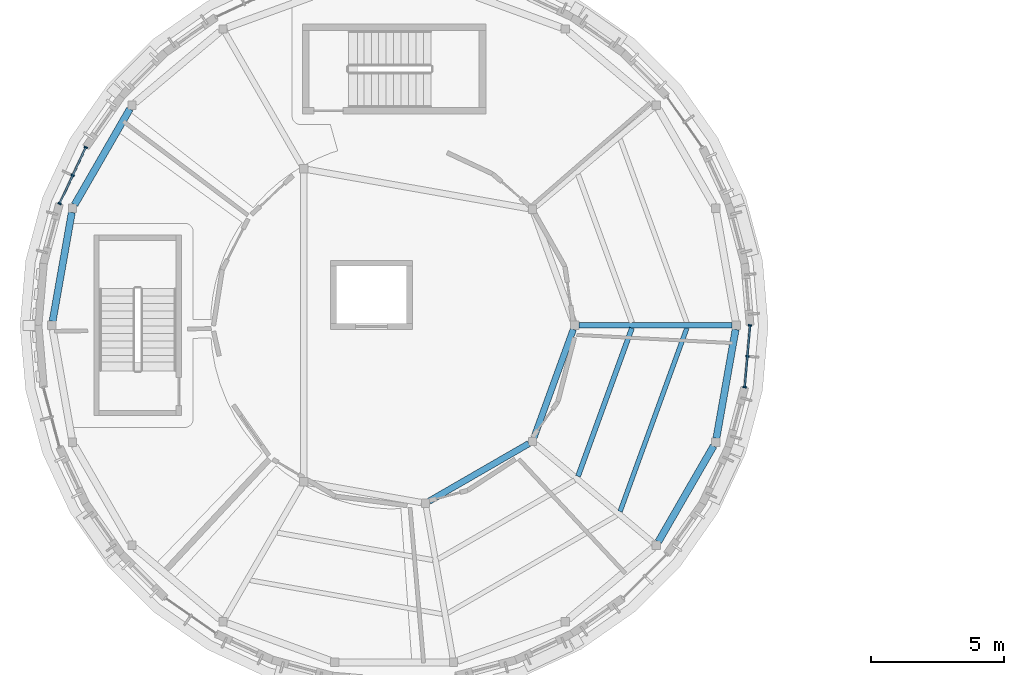
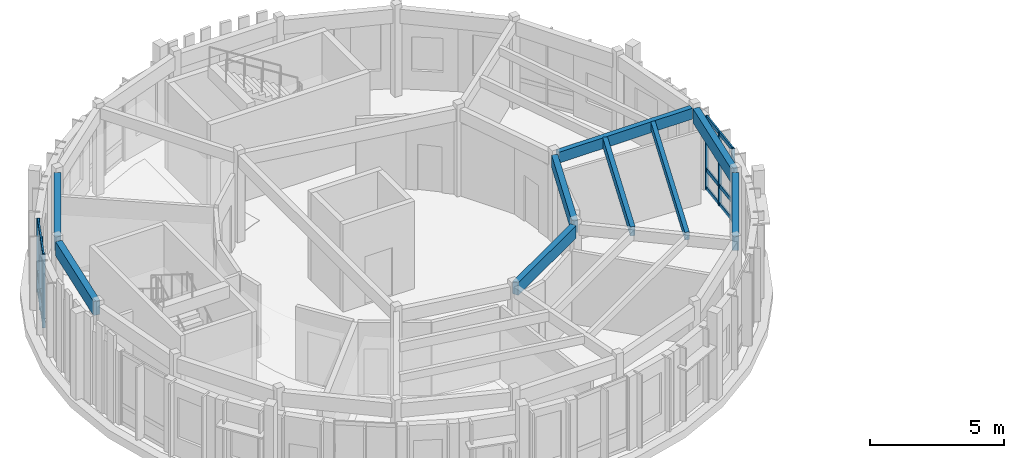
# One storey, part 7 of 37: 12 members, 9 beams, 2 elements without a shape of their own.
"""IFC4 building model written with IfcOpenShell, lengths in metres."""

from ifc_helpers import new_model, si_unit, direction, frame, origin, origin_2d, place, context, subcontext, project, spatial, rectangle, extrude, material, layer, layer_set, material_profile, profile_set, type_object, element, aggregate, save


model = new_model("IFC4")

# Units and contexts
model_context = context("Model", 3, precision=1e-05, world=origin(), true_north=direction((0.0, 1.0)))
body_context = subcontext(model_context, "Body", "Model", "MODEL_VIEW")
ifc_project = project(units=[si_unit("LENGTHUNIT", "METRE"), si_unit("AREAUNIT", "SQUARE_METRE"), si_unit("VOLUMEUNIT", "CUBIC_METRE"), si_unit("PLANEANGLEUNIT", "RADIAN"), si_unit("MASSUNIT", "GRAM", prefix="KILO")], contexts=[model_context])

# Site, building, storey
site_placement = place(None, origin())
site = spatial("IfcSite", under=ifc_project, at=site_placement, CompositionType="ELEMENT")
building_placement = place(site_placement, origin())
building = spatial("IfcBuilding", under=site, at=building_placement, Name="Aldenvaro Health Centre", CompositionType="ELEMENT")
storey_placement = place(building_placement, frame((0.0, 0.0, 12.949951171875)))
storey = spatial("IfcBuildingStorey", under=building, at=storey_placement, Name="L03", CompositionType="ELEMENT", Elevation=12.949951171875)

# Beams
ifc_material_1 = material(Name="Glulam GL28h", Category="wood")
ifc_material_profile_1 = material_profile(ifc_material_1, rectangle(XDim=0.175048828125, YDim=0.35009765625, at=origin_2d()), Name="GL 175x350", Category="wood")
ifc_profile_set_1 = profile_set([ifc_material_profile_1], Name="Glulam GL28h")
beam_type_1 = type_object("IfcBeamType", Name="BM-GL-350", PredefinedType="JOIST", material=ifc_profile_set_1)
beam_1_placement = place(storey_placement, frame((27.006103515625, 92.493896484375, 3.820068359375), z_axis=(0.341985813082, 0.939705115263, 0.0), x_axis=(-0.939705115263, 0.341985813082, 0.0)))
element("IfcBeam", 1, at=beam_1_placement, inside=storey, type_object=beam_type_1, Name="D4 L03 secondary joist 06.2", PredefinedType="JOIST", context=body_context, shape_type="SweptSolid", body=[
    extrude(rectangle(XDim=0.175048828125, YDim=0.35009765625, at=origin_2d()), origin(), (0.0, 0.0, 1.0), 7.34814453125),
])
ifc_material_profile_2 = material_profile(ifc_material_1, rectangle(XDim=0.18994140625, YDim=0.41796875, at=origin_2d()), Name="GL 190x418", Category="wood")
ifc_profile_set_2 = profile_set([ifc_material_profile_2], Name="Glulam GL28h")
beam_type_2 = type_object("IfcBeamType", Name="BM-GL-418", PredefinedType="JOIST", material=ifc_profile_set_2)
beam_2_placement = place(storey_placement, frame((25.423095703125, 93.822998046875, 3.7861328125), z_axis=(0.341921455433, 0.939728534373, 0.0), x_axis=(-0.939728534373, 0.341921455433, 0.0)))
element("IfcBeam", 2, at=beam_2_placement, inside=storey, type_object=beam_type_2, Name="D4 L03 secondary joist 06.1", PredefinedType="JOIST", context=body_context, shape_type="SweptSolid", body=[
    extrude(rectangle(XDim=0.18994140625, YDim=0.41796875, at=origin_2d()), origin(), (0.0, 0.0, 1.0), 5.93359375),
])
ifc_material_profile_3 = material_profile(ifc_material_1, rectangle(XDim=0.215087890625, YDim=0.493896484375, at=origin_2d()), Name="GL 215x494", Category="wood")
ifc_profile_set_3 = profile_set([ifc_material_profile_3], Name="Glulam GL28h")
beam_type_3 = type_object("IfcBeamType", Name="BM-GL-494", PredefinedType="BEAM", material=ifc_profile_set_3)
beam_3_placement = place(storey_placement, frame((25.45703125, 99.5, 3.748046875), z_axis=(1.0, 0.0, 0.0), x_axis=(0.0, 1.0, 0.0)))
element("IfcBeam", 3, at=beam_3_placement, inside=storey, type_object=beam_type_3, Name="D4 L03 radial beam 01", PredefinedType="BEAM", context=body_context, shape_type="SweptSolid", body=[
    extrude(rectangle(XDim=0.215087890625, YDim=0.493896484375, at=origin_2d()), origin(), (0.0, 0.0, 1.0), 5.765869140625),
])
ifc_material_profile_4 = material_profile(ifc_material_1, rectangle(XDim=0.239990234375, YDim=0.570068359375, at=origin_2d()), Name="GL 240x570", Category="wood")
ifc_profile_set_4 = profile_set([ifc_material_profile_4], Name="Glulam GL28h")
beam_type_4 = type_object("IfcBeamType", Name="BM-GL-570", PredefinedType="BEAM", material=ifc_profile_set_4)
beam_4_placement = place(storey_placement, frame((19.81689453125, 92.882080078125, 3.7099609375), z_axis=(0.866087163642, 0.499893013529, 0.0), x_axis=(-0.499893013529, 0.866087163642, 0.0)))
element("IfcBeam", 4, at=beam_4_placement, inside=storey, type_object=beam_type_4, Name="D4 L03 inner ring beam 05", PredefinedType="BEAM", context=body_context, shape_type="SweptSolid", body=[
    extrude(rectangle(XDim=0.239990234375, YDim=0.570068359375, at=origin_2d()), origin(), (0.0, 0.0, 1.0), 4.3369140625),
])
beam_5_placement = place(storey_placement, frame((23.762939453125, 95.277099609375, 3.7099609375), z_axis=(0.342018792103, 0.93969311259, 0.0), x_axis=(-0.93969311259, 0.342018792103, 0.0)))
element("IfcBeam", 5, at=beam_5_placement, inside=storey, type_object=beam_type_4, Name="D4 L03 inner ring beam 06", PredefinedType="BEAM", context=body_context, shape_type="SweptSolid", body=[
    extrude(rectangle(XDim=0.239990234375, YDim=0.570068359375, at=origin_2d()), origin(), (0.0, 0.0, 1.0), 4.33642578125),
])
ifc_material_profile_5 = material_profile(ifc_material_1, rectangle(XDim=0.264892578125, YDim=0.64599609375, at=origin_2d()), Name="GL 265x646", Category="wood")
ifc_profile_set_5 = profile_set([ifc_material_profile_5], Name="Glulam GL28h")
beam_type_5 = type_object("IfcBeamType", Name="BM-GL-646", PredefinedType="SPANDREL", material=ifc_profile_set_5)
for number, where, z_axis, x_axis, name in (
    (6, (8.553955078125, 107.64306640625, 3.672119140625), (-0.499681792437, -0.866209043076, 0.0), (0.866209043076, -0.499681792437, 0.0), "D4 L03 perimeter spandrel 08"),
    (7, (6.3701171875, 103.75, 3.672119140625), (-0.173902558049, -0.984762865011, 0.0), (0.984762865011, -0.173902558049, 0.0), "D4 L03 perimeter spandrel 09"),
    (8, (28.446044921875, 91.35693359375, 3.672119140625), (0.499681792437, 0.866209043076, 0.0), (-0.866209043076, 0.499681792437, 0.0), "D4 L03 perimeter spandrel 17"),
    (9, (30.6298828125, 95.25, 3.672119140625), (0.173902558049, 0.984762865011, 0.0), (-0.984762865011, 0.173902558049, 0.0), "D4 L03 perimeter spandrel 18"),
):
    element("IfcBeam", number, at=place(storey_placement, frame(where, z_axis=z_axis, x_axis=x_axis)), inside=storey, type_object=beam_type_5, Name=name, PredefinedType="SPANDREL", context=body_context, shape_type="SweptSolid", body=[
        extrude(rectangle(XDim=0.264892578125, YDim=0.64599609375, at=origin_2d()), origin(), (0.0, 0.0, 1.0), 4.158447265625),
    ])

# Curtain wall, members
ifc_material_2 = material(Name="Anodised Aluminium 6063-T6", Category="aluminium")
ifc_layer = layer(ifc_material_2, 0.22509765625, Name="Anodised Aluminium 6063-T6", Category="aluminium")
ifc_layer_set = layer_set([ifc_layer], Name="Anodised Aluminium 6063-T6")
curtain_wall_type = type_object("IfcCurtainWallType", Name="CW-TER-04", PredefinedType="NOTDEFINED", material=ifc_layer_set)
curtain_wall_1_placement = place(storey_placement, origin())
curtain_wall_1 = element("IfcCurtainWall", 10, at=curtain_wall_1_placement, inside=storey, type_object=curtain_wall_type, Name="D4 L03 curtain wall bay 01", PredefinedType="NOTDEFINED")
ifc_material_profile_6 = material_profile(ifc_material_2, rectangle(XDim=0.06005859375, YDim=0.135009765625, at=origin_2d()), Name="ALU 60x135", Category="aluminium")
ifc_profile_set_6 = profile_set([ifc_material_profile_6], Name="Anodised Aluminium 6063-T6")
member_type_1 = type_object("IfcMemberType", Name="CWM-150", PredefinedType="MULLION", material=ifc_profile_set_6)
member_1_placement = place(storey_placement, frame((31.89990234375, 99.5, 0.0), z_axis=(0.0, 0.0, 1.0), x_axis=(-0.087331575855, -0.996179299052, 0.0)))
member_1 = element("IfcMember", 11, at=member_1_placement, type_object=member_type_1, Name="D4 L03 curtain wall bay 01 mullion 1", PredefinedType="MULLION", context=body_context, shape_type="SweptSolid", body=[
    extrude(rectangle(XDim=0.06005859375, YDim=0.135009765625, at=origin_2d()), origin(), (0.0, 0.0, 1.0), 3.34912109375),
])
member_2_placement = place(storey_placement, frame((31.798095703125, 98.3369140625, 0.0), z_axis=(0.0, 0.0, 1.0), x_axis=(-0.087331575855, -0.996179299052, 0.0)))
member_2 = element("IfcMember", 12, at=member_2_placement, type_object=member_type_1, Name="D4 L03 curtain wall bay 01 mullion 2", PredefinedType="MULLION", context=body_context, shape_type="SweptSolid", body=[
    extrude(rectangle(XDim=0.06005859375, YDim=0.135009765625, at=origin_2d()), origin(), (0.0, 0.0, 1.0), 3.34912109375),
])
member_3_placement = place(storey_placement, frame((31.696044921875, 97.173095703125, 0.0), z_axis=(0.0, 0.0, 1.0), x_axis=(-0.087331575855, -0.996179299052, 0.0)))
member_3 = element("IfcMember", 13, at=member_3_placement, type_object=member_type_1, Name="D4 L03 curtain wall bay 01 mullion 3", PredefinedType="MULLION", context=body_context, shape_type="SweptSolid", body=[
    extrude(rectangle(XDim=0.06005859375, YDim=0.135009765625, at=origin_2d()), origin(), (0.0, 0.0, 1.0), 3.34912109375),
])

curtain_wall_2_placement = place(storey_placement, origin())
curtain_wall_2 = element("IfcCurtainWall", 14, at=curtain_wall_2_placement, inside=storey, type_object=curtain_wall_type, Name="D4 L03 curtain wall bay 21", PredefinedType="NOTDEFINED")
member_4_placement = place(storey_placement, frame((5.907958984375, 104.0830078125, 0.0), z_axis=(0.0, 0.0, 1.0), x_axis=(0.422557314215, 0.90633620484, 0.0)))
member_4 = element("IfcMember", 15, at=member_4_placement, type_object=member_type_1, Name="D4 L03 curtain wall bay 21 mullion 1", PredefinedType="MULLION", context=body_context, shape_type="SweptSolid", body=[
    extrude(rectangle(XDim=0.06005859375, YDim=0.135009765625, at=origin_2d()), origin(), (0.0, 0.0, 1.0), 3.34912109375),
])
member_5_placement = place(storey_placement, frame((6.402099609375, 105.14208984375, 0.0), z_axis=(0.0, 0.0, 1.0), x_axis=(0.422557314215, 0.90633620484, 0.0)))
member_5 = element("IfcMember", 16, at=member_5_placement, type_object=member_type_1, Name="D4 L03 curtain wall bay 21 mullion 2", PredefinedType="MULLION", context=body_context, shape_type="SweptSolid", body=[
    extrude(rectangle(XDim=0.06005859375, YDim=0.135009765625, at=origin_2d()), origin(), (0.0, 0.0, 1.0), 3.34912109375),
])
member_6_placement = place(storey_placement, frame((6.89501953125, 106.199951171875, 0.0), z_axis=(0.0, 0.0, 1.0), x_axis=(0.422557314215, 0.90633620484, 0.0)))
member_6 = element("IfcMember", 17, at=member_6_placement, type_object=member_type_1, Name="D4 L03 curtain wall bay 21 mullion 3", PredefinedType="MULLION", context=body_context, shape_type="SweptSolid", body=[
    extrude(rectangle(XDim=0.06005859375, YDim=0.135009765625, at=origin_2d()), origin(), (0.0, 0.0, 1.0), 3.34912109375),
])

# Member
ifc_material_profile_7 = material_profile(ifc_material_2, rectangle(XDim=0.06494140625, YDim=0.179931640625, at=origin_2d()), Name="ALU 65x180", Category="aluminium")
ifc_profile_set_7 = profile_set([ifc_material_profile_7], Name="Anodised Aluminium 6063-T6")
member_type_2 = type_object("IfcMemberType", Name="CWT-150", PredefinedType="USERDEFINED", material=ifc_profile_set_7)
member_7_placement = place(storey_placement, frame((31.89990234375, 99.5, 0.06005859375), z_axis=(-0.087274565792, -0.996184295282, 0.0), x_axis=(0.996184295282, -0.087274565792, 0.0)))
member_7 = element("IfcMember", 18, at=member_7_placement, type_object=member_type_2, Name="D4 L03 curtain wall bay 01 transom 1", ObjectType="TRANSOM", PredefinedType="USERDEFINED", context=body_context, shape_type="SweptSolid", body=[
    extrude(rectangle(XDim=0.06494140625, YDim=0.179931640625, at=origin_2d()), origin(), (0.0, 0.0, 1.0), 2.3359375),
])

member_8_placement = place(storey_placement, frame((31.89990234375, 99.5, 0.900146484375), z_axis=(-0.087274565792, -0.996184295282, 0.0), x_axis=(0.996184295282, -0.087274565792, 0.0)))
member_8 = element("IfcMember", 19, at=member_8_placement, type_object=member_type_2, Name="D4 L03 curtain wall bay 01 transom 2", ObjectType="TRANSOM", PredefinedType="USERDEFINED", context=body_context, shape_type="SweptSolid", body=[
    extrude(rectangle(XDim=0.06494140625, YDim=0.179931640625, at=origin_2d()), origin(), (0.0, 0.0, 1.0), 2.3359375),
])

member_9_placement = place(storey_placement, frame((31.89990234375, 99.5, 3.2890625), z_axis=(-0.087274565792, -0.996184295282, 0.0), x_axis=(0.996184295282, -0.087274565792, 0.0)))
member_9 = element("IfcMember", 20, at=member_9_placement, type_object=member_type_2, Name="D4 L03 curtain wall bay 01 transom 3", ObjectType="TRANSOM", PredefinedType="USERDEFINED", context=body_context, shape_type="SweptSolid", body=[
    extrude(rectangle(XDim=0.06494140625, YDim=0.179931640625, at=origin_2d()), origin(), (0.0, 0.0, 1.0), 2.3359375),
])

aggregate(curtain_wall_1, [member_1, member_2, member_3, member_7, member_8, member_9])

member_10_placement = place(storey_placement, frame((5.907958984375, 104.0830078125, 0.06005859375), z_axis=(0.422587894318, 0.906321946979, 0.0), x_axis=(-0.906321946979, 0.422587894318, 0.0)))
member_10 = element("IfcMember", 21, at=member_10_placement, type_object=member_type_2, Name="D4 L03 curtain wall bay 21 transom 1", ObjectType="TRANSOM", PredefinedType="USERDEFINED", context=body_context, shape_type="SweptSolid", body=[
    extrude(rectangle(XDim=0.06494140625, YDim=0.179931640625, at=origin_2d()), origin(), (0.0, 0.0, 1.0), 2.335693359375),
])

member_11_placement = place(storey_placement, frame((5.907958984375, 104.0830078125, 0.900146484375), z_axis=(0.422587894318, 0.906321946979, 0.0), x_axis=(-0.906321946979, 0.422587894318, 0.0)))
member_11 = element("IfcMember", 22, at=member_11_placement, type_object=member_type_2, Name="D4 L03 curtain wall bay 21 transom 2", ObjectType="TRANSOM", PredefinedType="USERDEFINED", context=body_context, shape_type="SweptSolid", body=[
    extrude(rectangle(XDim=0.06494140625, YDim=0.179931640625, at=origin_2d()), origin(), (0.0, 0.0, 1.0), 2.335693359375),
])

member_12_placement = place(storey_placement, frame((5.907958984375, 104.0830078125, 3.2890625), z_axis=(0.422587894318, 0.906321946979, 0.0), x_axis=(-0.906321946979, 0.422587894318, 0.0)))
member_12 = element("IfcMember", 23, at=member_12_placement, type_object=member_type_2, Name="D4 L03 curtain wall bay 21 transom 3", ObjectType="TRANSOM", PredefinedType="USERDEFINED", context=body_context, shape_type="SweptSolid", body=[
    extrude(rectangle(XDim=0.06494140625, YDim=0.179931640625, at=origin_2d()), origin(), (0.0, 0.0, 1.0), 2.335693359375),
])

aggregate(curtain_wall_2, [member_4, member_5, member_6, member_10, member_11, member_12])

save(model, "model.ifc")
